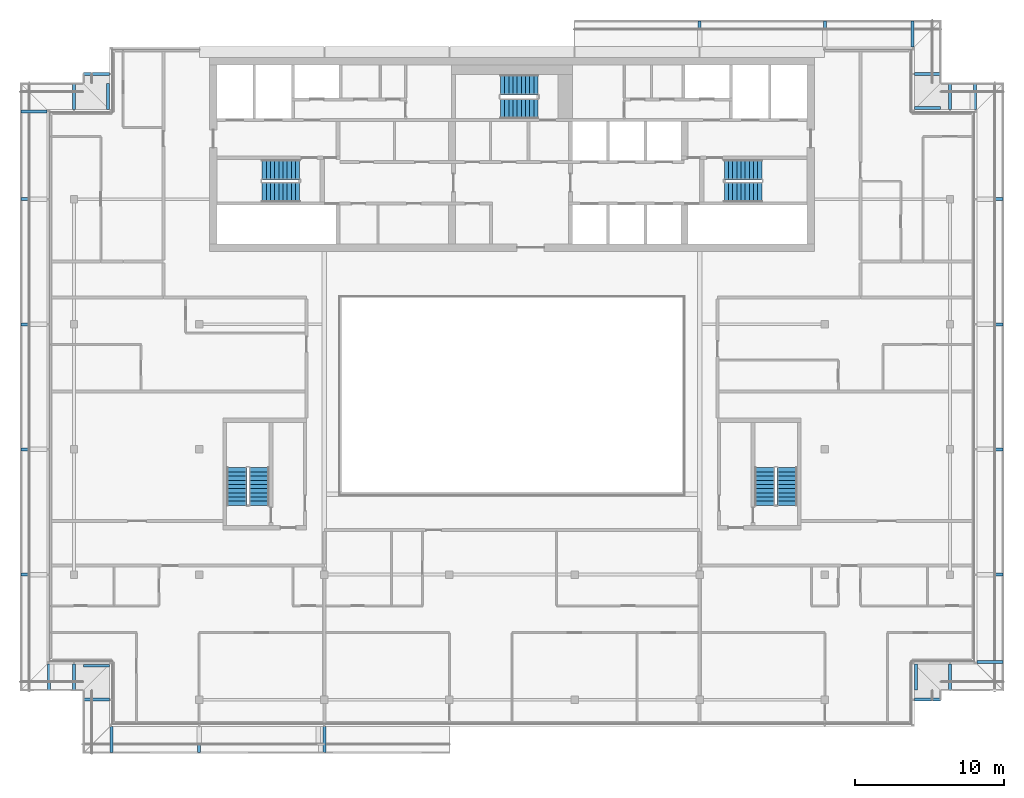
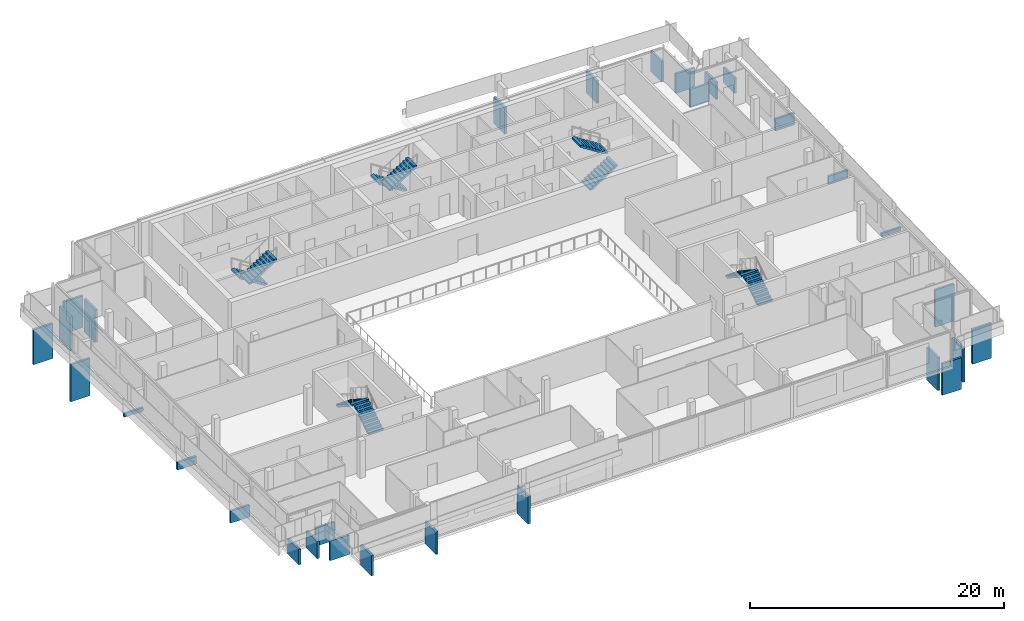
# One storey, part 21 of 27: 30 discrete accessories, 10 stair flights, 5 elements without a shape of their own.
"""IFC4 building model written with IfcOpenShell, lengths in metres."""

from ifc_helpers import new_model, si_unit, direction, frame, origin, origin_2d, place, context, subcontext, project, spatial, polyline, rectangle, outline, extrude, material, type_object, element, aggregate, save


model = new_model("IFC4")

# Units and contexts
model_context = context("Model", 3, precision=1e-05, world=origin(), true_north=direction((0.0, 1.0)))
body_context = subcontext(model_context, "Body", "Model", "MODEL_VIEW")
ifc_project = project(units=[si_unit("LENGTHUNIT", "METRE"), si_unit("AREAUNIT", "SQUARE_METRE"), si_unit("VOLUMEUNIT", "CUBIC_METRE"), si_unit("PLANEANGLEUNIT", "RADIAN"), si_unit("MASSUNIT", "GRAM", prefix="KILO")], contexts=[model_context])

# Site, building, storey
site_placement = place(None, origin())
site = spatial("IfcSite", under=ifc_project, at=site_placement, CompositionType="ELEMENT")
building_placement = place(site_placement, origin())
building = spatial("IfcBuilding", under=site, at=building_placement, Name="Saffron Gate Tower", CompositionType="ELEMENT")
storey_placement = place(building_placement, frame((0.0, 0.0, 274.35009765625)))
storey = spatial("IfcBuildingStorey", under=building, at=storey_placement, Name="L66", CompositionType="ELEMENT", Elevation=274.35009765625)

# Stair, stair flights
ifc_material = material(Name="Concrete C40", Category="concrete")
stair_type = type_object("IfcStairType", Name="ST7 Stair 1350 wide, 20 risers of 180", PredefinedType="HALF_TURN_STAIR", material=ifc_material)
stair_1_placement = place(storey_placement, origin())
stair_1 = element("IfcStair", 1, at=stair_1_placement, inside=storey, type_object=stair_type, Name="L66 Exit stair A", PredefinedType="HALF_TURN_STAIR")
stair_flight_type = type_object("IfcStairFlightType", Name="SF3 Stair flight 1350 wide, riser 180 going 280", PredefinedType="STRAIGHT", material=ifc_material)
stair_flight_1_placement = place(storey_placement, frame((73.35009765625, 67.375, 0.0), z_axis=(0.0, 0.0, 1.0), x_axis=(-1.0, 0.0, 0.0)))
stair_flight_1 = element("IfcStairFlight", 2, at=stair_flight_1_placement, type_object=stair_flight_type, Name="ST-A flight 1", NumberOfRisers=10, NumberOfTreads=9, PredefinedType="STRAIGHT", RiserHeight=0.18, TreadLength=0.28, context=body_context, shape_type="SweptSolid", body=[
    extrude(outline(polyline([(0.0, 0.0), (0.0, 0.179931640625), (0.280029296875, 0.179931640625), (0.280029296875, 0.360107421875), (0.56005859375, 0.360107421875), (0.56005859375, 0.5400390625), (0.840087890625, 0.5400390625), (0.840087890625, 0.719970703125), (1.1201171875, 0.719970703125), (1.1201171875, 0.89990234375), (1.39990234375, 0.89990234375), (1.39990234375, 1.080078125), (1.679931640625, 1.080078125), (1.679931640625, 1.260009765625), (1.9599609375, 1.260009765625), (1.9599609375, 1.43994140625), (2.239990234375, 1.43994140625), (2.239990234375, 1.6201171875), (2.52001953125, 1.6201171875), (2.52001953125, 1.800048828125), (2.52001953125, 1.44189453125), (0.277099609375, 0.0), (0.0, 0.0)])), frame((0.0, 0.675048828125, 0.0), z_axis=(0.0, -1.0, 0.0), x_axis=(1.0, 0.0, 0.0)), (0.0, 0.0, 1.0), 1.35009765625),
])
stair_flight_2_placement = place(storey_placement, frame((70.830078125, 65.875, 1.7998046875), z_axis=(0.0, 0.0, 1.0), x_axis=(1.0, 0.0, 0.0)))
stair_flight_2 = element("IfcStairFlight", 3, at=stair_flight_2_placement, type_object=stair_flight_type, Name="ST-A flight 2", NumberOfRisers=10, NumberOfTreads=9, PredefinedType="STRAIGHT", RiserHeight=0.18, TreadLength=0.28, context=body_context, shape_type="SweptSolid", body=[
    extrude(outline(polyline([(0.0, 0.0), (0.0, 0.179931640625), (0.280029296875, 0.179931640625), (0.280029296875, 0.360107421875), (0.56005859375, 0.360107421875), (0.56005859375, 0.5400390625), (0.840087890625, 0.5400390625), (0.840087890625, 0.719970703125), (1.1201171875, 0.719970703125), (1.1201171875, 0.89990234375), (1.39990234375, 0.89990234375), (1.39990234375, 1.080078125), (1.679931640625, 1.080078125), (1.679931640625, 1.260009765625), (1.9599609375, 1.260009765625), (1.9599609375, 1.43994140625), (2.239990234375, 1.43994140625), (2.239990234375, 1.6201171875), (2.52001953125, 1.6201171875), (2.52001953125, 1.800048828125), (2.52001953125, 1.44189453125), (0.277099609375, 0.0), (0.0, 0.0)])), frame((0.0, 0.675048828125, 0.0), z_axis=(0.0, -1.0, 0.0), x_axis=(1.0, 0.0, 0.0)), (0.0, 0.0, 1.0), 1.35009765625),
])
aggregate(stair_1, [stair_flight_1, stair_flight_2])

stair_2_placement = place(storey_placement, origin())
stair_2 = element("IfcStair", 4, at=stair_2_placement, inside=storey, type_object=stair_type, Name="L66 Exit stair B", PredefinedType="HALF_TURN_STAIR")
stair_flight_3_placement = place(storey_placement, frame((101.85009765625, 65.875, 0.0), z_axis=(0.0, 0.0, 1.0), x_axis=(1.0, 0.0, 0.0)))
stair_flight_3 = element("IfcStairFlight", 5, at=stair_flight_3_placement, type_object=stair_flight_type, Name="ST-B flight 1", NumberOfRisers=10, NumberOfTreads=9, PredefinedType="STRAIGHT", RiserHeight=0.18, TreadLength=0.28, context=body_context, shape_type="SweptSolid", body=[
    extrude(outline(polyline([(0.0, 0.0), (0.0, 0.179931640625), (0.280029296875, 0.179931640625), (0.280029296875, 0.360107421875), (0.56005859375, 0.360107421875), (0.56005859375, 0.5400390625), (0.840087890625, 0.5400390625), (0.840087890625, 0.719970703125), (1.1201171875, 0.719970703125), (1.1201171875, 0.89990234375), (1.39990234375, 0.89990234375), (1.39990234375, 1.080078125), (1.679931640625, 1.080078125), (1.679931640625, 1.260009765625), (1.9599609375, 1.260009765625), (1.9599609375, 1.43994140625), (2.239990234375, 1.43994140625), (2.239990234375, 1.6201171875), (2.52001953125, 1.6201171875), (2.52001953125, 1.800048828125), (2.52001953125, 1.44189453125), (0.277099609375, 0.0), (0.0, 0.0)])), frame((0.0, 0.675048828125, 0.0), z_axis=(0.0, -1.0, 0.0), x_axis=(1.0, 0.0, 0.0)), (0.0, 0.0, 1.0), 1.35009765625),
])
stair_flight_4_placement = place(storey_placement, frame((104.3701171875, 67.375, 1.7998046875), z_axis=(0.0, 0.0, 1.0), x_axis=(-1.0, 0.0, 0.0)))
stair_flight_4 = element("IfcStairFlight", 6, at=stair_flight_4_placement, type_object=stair_flight_type, Name="ST-B flight 2", NumberOfRisers=10, NumberOfTreads=9, PredefinedType="STRAIGHT", RiserHeight=0.18, TreadLength=0.28, context=body_context, shape_type="SweptSolid", body=[
    extrude(outline(polyline([(0.0, 0.0), (0.0, 0.179931640625), (0.280029296875, 0.179931640625), (0.280029296875, 0.360107421875), (0.56005859375, 0.360107421875), (0.56005859375, 0.5400390625), (0.840087890625, 0.5400390625), (0.840087890625, 0.719970703125), (1.1201171875, 0.719970703125), (1.1201171875, 0.89990234375), (1.39990234375, 0.89990234375), (1.39990234375, 1.080078125), (1.679931640625, 1.080078125), (1.679931640625, 1.260009765625), (1.9599609375, 1.260009765625), (1.9599609375, 1.43994140625), (2.239990234375, 1.43994140625), (2.239990234375, 1.6201171875), (2.52001953125, 1.6201171875), (2.52001953125, 1.800048828125), (2.52001953125, 1.44189453125), (0.277099609375, 0.0), (0.0, 0.0)])), frame((0.0, 0.675048828125, 0.0), z_axis=(0.0, -1.0, 0.0), x_axis=(1.0, 0.0, 0.0)), (0.0, 0.0, 1.0), 1.35009765625),
])
aggregate(stair_2, [stair_flight_3, stair_flight_4])

stair_3_placement = place(storey_placement, origin())
stair_3 = element("IfcStair", 7, at=stair_3_placement, inside=storey, type_object=stair_type, Name="L66 Exit stair C", PredefinedType="HALF_TURN_STAIR")
stair_flight_5_placement = place(storey_placement, frame((89.35009765625, 73.074951171875, 0.0), z_axis=(0.0, 0.0, 1.0), x_axis=(-1.0, 0.0, 0.0)))
stair_flight_5 = element("IfcStairFlight", 8, at=stair_flight_5_placement, type_object=stair_flight_type, Name="ST-C flight 1", NumberOfRisers=10, NumberOfTreads=9, PredefinedType="STRAIGHT", RiserHeight=0.18, TreadLength=0.28, context=body_context, shape_type="SweptSolid", body=[
    extrude(outline(polyline([(0.0, 0.0), (0.0, 0.179931640625), (0.280029296875, 0.179931640625), (0.280029296875, 0.360107421875), (0.56005859375, 0.360107421875), (0.56005859375, 0.5400390625), (0.840087890625, 0.5400390625), (0.840087890625, 0.719970703125), (1.1201171875, 0.719970703125), (1.1201171875, 0.89990234375), (1.39990234375, 0.89990234375), (1.39990234375, 1.080078125), (1.679931640625, 1.080078125), (1.679931640625, 1.260009765625), (1.9599609375, 1.260009765625), (1.9599609375, 1.43994140625), (2.239990234375, 1.43994140625), (2.239990234375, 1.6201171875), (2.52001953125, 1.6201171875), (2.52001953125, 1.800048828125), (2.52001953125, 1.44189453125), (0.277099609375, 0.0), (0.0, 0.0)])), frame((0.0, 0.675048828125, 0.0), z_axis=(0.0, -1.0, 0.0), x_axis=(1.0, 0.0, 0.0)), (0.0, 0.0, 1.0), 1.35009765625),
])
stair_flight_6_placement = place(storey_placement, frame((86.830078125, 71.47509765625, 1.7998046875), z_axis=(0.0, 0.0, 1.0), x_axis=(1.0, 0.0, 0.0)))
stair_flight_6 = element("IfcStairFlight", 9, at=stair_flight_6_placement, type_object=stair_flight_type, Name="ST-C flight 2", NumberOfRisers=10, NumberOfTreads=9, PredefinedType="STRAIGHT", RiserHeight=0.18, TreadLength=0.28, context=body_context, shape_type="SweptSolid", body=[
    extrude(outline(polyline([(0.0, 0.0), (0.0, 0.179931640625), (0.280029296875, 0.179931640625), (0.280029296875, 0.360107421875), (0.56005859375, 0.360107421875), (0.56005859375, 0.5400390625), (0.840087890625, 0.5400390625), (0.840087890625, 0.719970703125), (1.1201171875, 0.719970703125), (1.1201171875, 0.89990234375), (1.39990234375, 0.89990234375), (1.39990234375, 1.080078125), (1.679931640625, 1.080078125), (1.679931640625, 1.260009765625), (1.9599609375, 1.260009765625), (1.9599609375, 1.43994140625), (2.239990234375, 1.43994140625), (2.239990234375, 1.6201171875), (2.52001953125, 1.6201171875), (2.52001953125, 1.800048828125), (2.52001953125, 1.44189453125), (0.277099609375, 0.0), (0.0, 0.0)])), frame((0.0, 0.675048828125, 0.0), z_axis=(0.0, -1.0, 0.0), x_axis=(1.0, 0.0, 0.0)), (0.0, 0.0, 1.0), 1.35009765625),
])
aggregate(stair_3, [stair_flight_5, stair_flight_6])

stair_4_placement = place(storey_placement, origin())
stair_4 = element("IfcStair", 10, at=stair_4_placement, inside=storey, type_object=stair_type, Name="L66 Exit stair D", PredefinedType="HALF_TURN_STAIR")
stair_flight_7_placement = place(storey_placement, frame((70.625, 44.85009765625, 0.0), z_axis=(0.0, 0.0, 1.0), x_axis=(0.0, 1.0, 0.0)))
stair_flight_7 = element("IfcStairFlight", 11, at=stair_flight_7_placement, type_object=stair_flight_type, Name="ST-D flight 1", NumberOfRisers=10, NumberOfTreads=9, PredefinedType="STRAIGHT", RiserHeight=0.18, TreadLength=0.28, context=body_context, shape_type="SweptSolid", body=[
    extrude(outline(polyline([(0.0, 0.0), (0.0, 0.179931640625), (0.280029296875, 0.179931640625), (0.280029296875, 0.360107421875), (0.56005859375, 0.360107421875), (0.56005859375, 0.5400390625), (0.840087890625, 0.5400390625), (0.840087890625, 0.719970703125), (1.1201171875, 0.719970703125), (1.1201171875, 0.89990234375), (1.39990234375, 0.89990234375), (1.39990234375, 1.080078125), (1.679931640625, 1.080078125), (1.679931640625, 1.260009765625), (1.9599609375, 1.260009765625), (1.9599609375, 1.43994140625), (2.239990234375, 1.43994140625), (2.239990234375, 1.6201171875), (2.52001953125, 1.6201171875), (2.52001953125, 1.800048828125), (2.52001953125, 1.44189453125), (0.277099609375, 0.0), (0.0, 0.0)])), frame((0.0, 0.675048828125, 0.0), z_axis=(0.0, -1.0, 0.0), x_axis=(1.0, 0.0, 0.0)), (0.0, 0.0, 1.0), 1.35009765625),
])
stair_flight_8_placement = place(storey_placement, frame((69.125, 47.3701171875, 1.7998046875), z_axis=(0.0, 0.0, 1.0), x_axis=(0.0, -1.0, 0.0)))
stair_flight_8 = element("IfcStairFlight", 12, at=stair_flight_8_placement, type_object=stair_flight_type, Name="ST-D flight 2", NumberOfRisers=10, NumberOfTreads=9, PredefinedType="STRAIGHT", RiserHeight=0.18, TreadLength=0.28, context=body_context, shape_type="SweptSolid", body=[
    extrude(outline(polyline([(0.0, 0.0), (0.0, 0.179931640625), (0.280029296875, 0.179931640625), (0.280029296875, 0.360107421875), (0.56005859375, 0.360107421875), (0.56005859375, 0.5400390625), (0.840087890625, 0.5400390625), (0.840087890625, 0.719970703125), (1.1201171875, 0.719970703125), (1.1201171875, 0.89990234375), (1.39990234375, 0.89990234375), (1.39990234375, 1.080078125), (1.679931640625, 1.080078125), (1.679931640625, 1.260009765625), (1.9599609375, 1.260009765625), (1.9599609375, 1.43994140625), (2.239990234375, 1.43994140625), (2.239990234375, 1.6201171875), (2.52001953125, 1.6201171875), (2.52001953125, 1.800048828125), (2.52001953125, 1.44189453125), (0.277099609375, 0.0), (0.0, 0.0)])), frame((0.0, 0.675048828125, 0.0), z_axis=(0.0, -1.0, 0.0), x_axis=(1.0, 0.0, 0.0)), (0.0, 0.0, 1.0), 1.35009765625),
])
aggregate(stair_4, [stair_flight_7, stair_flight_8])

stair_5_placement = place(storey_placement, origin())
stair_5 = element("IfcStair", 13, at=stair_5_placement, inside=storey, type_object=stair_type, Name="L66 Exit stair E", PredefinedType="HALF_TURN_STAIR")
stair_flight_9_placement = place(storey_placement, frame((106.074951171875, 44.85009765625, 0.0), z_axis=(0.0, 0.0, 1.0), x_axis=(0.0, 1.0, 0.0)))
stair_flight_9 = element("IfcStairFlight", 14, at=stair_flight_9_placement, type_object=stair_flight_type, Name="ST-E flight 1", NumberOfRisers=10, NumberOfTreads=9, PredefinedType="STRAIGHT", RiserHeight=0.18, TreadLength=0.28, context=body_context, shape_type="SweptSolid", body=[
    extrude(outline(polyline([(0.0, 0.0), (0.0, 0.179931640625), (0.280029296875, 0.179931640625), (0.280029296875, 0.360107421875), (0.56005859375, 0.360107421875), (0.56005859375, 0.5400390625), (0.840087890625, 0.5400390625), (0.840087890625, 0.719970703125), (1.1201171875, 0.719970703125), (1.1201171875, 0.89990234375), (1.39990234375, 0.89990234375), (1.39990234375, 1.080078125), (1.679931640625, 1.080078125), (1.679931640625, 1.260009765625), (1.9599609375, 1.260009765625), (1.9599609375, 1.43994140625), (2.239990234375, 1.43994140625), (2.239990234375, 1.6201171875), (2.52001953125, 1.6201171875), (2.52001953125, 1.800048828125), (2.52001953125, 1.44189453125), (0.277099609375, 0.0), (0.0, 0.0)])), frame((0.0, 0.675048828125, 0.0), z_axis=(0.0, -1.0, 0.0), x_axis=(1.0, 0.0, 0.0)), (0.0, 0.0, 1.0), 1.35009765625),
])
stair_flight_10_placement = place(storey_placement, frame((104.574951171875, 47.3701171875, 1.7998046875), z_axis=(0.0, 0.0, 1.0), x_axis=(0.0, -1.0, 0.0)))
stair_flight_10 = element("IfcStairFlight", 15, at=stair_flight_10_placement, type_object=stair_flight_type, Name="ST-E flight 2", NumberOfRisers=10, NumberOfTreads=9, PredefinedType="STRAIGHT", RiserHeight=0.18, TreadLength=0.28, context=body_context, shape_type="SweptSolid", body=[
    extrude(outline(polyline([(0.0, 0.0), (0.0, 0.179931640625), (0.280029296875, 0.179931640625), (0.280029296875, 0.360107421875), (0.56005859375, 0.360107421875), (0.56005859375, 0.5400390625), (0.840087890625, 0.5400390625), (0.840087890625, 0.719970703125), (1.1201171875, 0.719970703125), (1.1201171875, 0.89990234375), (1.39990234375, 0.89990234375), (1.39990234375, 1.080078125), (1.679931640625, 1.080078125), (1.679931640625, 1.260009765625), (1.9599609375, 1.260009765625), (1.9599609375, 1.43994140625), (2.239990234375, 1.43994140625), (2.239990234375, 1.6201171875), (2.52001953125, 1.6201171875), (2.52001953125, 1.800048828125), (2.52001953125, 1.44189453125), (0.277099609375, 0.0), (0.0, 0.0)])), frame((0.0, 0.675048828125, 0.0), z_axis=(0.0, -1.0, 0.0), x_axis=(1.0, 0.0, 0.0)), (0.0, 0.0, 1.0), 1.35009765625),
])
aggregate(stair_5, [stair_flight_9, stair_flight_10])

# Discrete accessories
discrete_accessory_1_placement = place(storey_placement, frame((115.47509765625, 31.800048828125, -3.880126953125), z_axis=(0.0, 0.0, 1.0), x_axis=(0.0, 1.0, 0.0)))
element("IfcDiscreteAccessory", 16, at=discrete_accessory_1_placement, inside=storey, Name="LEDGE rib", PredefinedType="BRACKET", context=body_context, shape_type="SweptSolid", body=[
    extrude(rectangle(XDim=0.199951171875, YDim=1.75, at=origin_2d()), origin(), (0.0, 0.0, 1.0), 3.04638671875),
])
discrete_accessory_2_placement = place(storey_placement, frame((114.719970703125, 33.324951171875, -3.880126953125), z_axis=(0.0, 0.0, 1.0), x_axis=(1.0, 0.0, 0.0)))
element("IfcDiscreteAccessory", 17, at=discrete_accessory_2_placement, inside=storey, Name="LEDGE rib", PredefinedType="BRACKET", context=body_context, shape_type="SweptSolid", body=[
    extrude(rectangle(XDim=0.199951171875, YDim=1.75, at=origin_2d()), origin(), (0.0, 0.0, 1.0), 3.15087890625),
])
discrete_accessory_3_placement = place(storey_placement, frame((117.0, 33.324951171875, -3.880126953125), z_axis=(0.0, 0.0, 1.0), x_axis=(1.0, 0.0, 0.0)))
element("IfcDiscreteAccessory", 18, at=discrete_accessory_3_placement, inside=storey, Name="LEDGE rib", PredefinedType="BRACKET", context=body_context, shape_type="SweptSolid", body=[
    extrude(rectangle(XDim=0.199951171875, YDim=1.75, at=origin_2d()), origin(), (0.0, 0.0, 1.0), 3.26708984375),
])
discrete_accessory_4_placement = place(storey_placement, frame((119.675048828125, 34.320068359375, -3.8798828125), z_axis=(0.0, 0.0, 1.0), x_axis=(0.0, 1.0, 0.0)))
element("IfcDiscreteAccessory", 19, at=discrete_accessory_4_placement, inside=storey, Name="LEDGE rib", PredefinedType="BRACKET", context=body_context, shape_type="SweptSolid", body=[
    extrude(rectangle(XDim=0.199951171875, YDim=1.75, at=origin_2d()), origin(), (0.0, 0.0, 1.0), 3.365966796875),
])
discrete_accessory_5_placement = place(storey_placement, frame((119.675048828125, 40.199951171875, -3.8798828125), z_axis=(0.0, 0.0, 1.0), x_axis=(0.0, 1.0, 0.0)))
element("IfcDiscreteAccessory", 20, at=discrete_accessory_5_placement, inside=storey, Name="LEDGE rib", PredefinedType="BRACKET", context=body_context, shape_type="SweptSolid", body=[
    extrude(rectangle(XDim=0.199951171875, YDim=1.75, at=origin_2d()), origin(), (0.0, 0.0, 1.0), 3.573974609375),
])
discrete_accessory_6_placement = place(storey_placement, frame((119.675048828125, 48.60009765625, -0.2802734375), z_axis=(0.0, 0.0, 1.0), x_axis=(0.0, 1.0, 0.0)))
element("IfcDiscreteAccessory", 21, at=discrete_accessory_6_placement, inside=storey, Name="LEDGE rib", PredefinedType="BRACKET", context=body_context, shape_type="SweptSolid", body=[
    extrude(rectangle(XDim=0.199951171875, YDim=1.75, at=origin_2d()), origin(), (0.0, 0.0, 1.0), 0.333740234375),
])
discrete_accessory_7_placement = place(storey_placement, frame((119.675048828125, 57.0, -0.2802734375), z_axis=(0.0, 0.0, 1.0), x_axis=(0.0, 1.0, 0.0)))
element("IfcDiscreteAccessory", 22, at=discrete_accessory_7_placement, inside=storey, Name="LEDGE rib", PredefinedType="BRACKET", context=body_context, shape_type="SweptSolid", body=[
    extrude(rectangle(XDim=0.199951171875, YDim=1.75, at=origin_2d()), origin(), (0.0, 0.0, 1.0), 0.740478515625),
])
discrete_accessory_8_placement = place(storey_placement, frame((119.675048828125, 65.39990234375, -0.280029296875), z_axis=(0.0, 0.0, 1.0), x_axis=(0.0, 1.0, 0.0)))
element("IfcDiscreteAccessory", 23, at=discrete_accessory_8_placement, inside=storey, Name="LEDGE rib", PredefinedType="BRACKET", context=body_context, shape_type="SweptSolid", body=[
    extrude(rectangle(XDim=0.199951171875, YDim=1.75, at=origin_2d()), origin(), (0.0, 0.0, 1.0), 1.14697265625),
])
discrete_accessory_9_placement = place(storey_placement, frame((118.679931640625, 72.27490234375, -0.2802734375), z_axis=(0.0, 0.0, 1.0), x_axis=(-1.0, 0.0, 0.0)))
element("IfcDiscreteAccessory", 24, at=discrete_accessory_9_placement, inside=storey, Name="LEDGE rib", PredefinedType="BRACKET", context=body_context, shape_type="SweptSolid", body=[
    extrude(rectangle(XDim=0.199951171875, YDim=1.75, at=origin_2d()), origin(), (0.0, 0.0, 1.0), 1.484619140625),
])
discrete_accessory_10_placement = place(storey_placement, frame((117.0, 72.27490234375, -0.2802734375), z_axis=(0.0, 0.0, 1.0), x_axis=(-1.0, 0.0, 0.0)))
element("IfcDiscreteAccessory", 25, at=discrete_accessory_10_placement, inside=storey, Name="LEDGE rib", PredefinedType="BRACKET", context=body_context, shape_type="SweptSolid", body=[
    extrude(rectangle(XDim=0.199951171875, YDim=1.75, at=origin_2d()), origin(), (0.0, 0.0, 1.0), 1.654052734375),
])
discrete_accessory_11_placement = place(storey_placement, frame((115.47509765625, 71.52001953125, -0.2802734375), z_axis=(0.0, 0.0, 1.0), x_axis=(0.0, 1.0, 0.0)))
element("IfcDiscreteAccessory", 26, at=discrete_accessory_11_placement, inside=storey, Name="LEDGE rib", PredefinedType="BRACKET", context=body_context, shape_type="SweptSolid", body=[
    extrude(rectangle(XDim=0.199951171875, YDim=1.75, at=origin_2d()), origin(), (0.0, 0.0, 1.0), 1.758544921875),
])
discrete_accessory_12_placement = place(storey_placement, frame((115.47509765625, 73.800048828125, -0.2802734375), z_axis=(0.0, 0.0, 1.0), x_axis=(0.0, 1.0, 0.0)))
element("IfcDiscreteAccessory", 27, at=discrete_accessory_12_placement, inside=storey, Name="LEDGE rib", PredefinedType="BRACKET", context=body_context, shape_type="SweptSolid", body=[
    extrude(rectangle(XDim=0.199951171875, YDim=1.75, at=origin_2d()), origin(), (0.0, 0.0, 1.0), 1.874755859375),
])
discrete_accessory_13_placement = place(storey_placement, frame((114.47998046875, 76.47509765625, -0.280029296875), z_axis=(0.0, 0.0, 1.0), x_axis=(-1.0, 0.0, 0.0)))
element("IfcDiscreteAccessory", 28, at=discrete_accessory_13_placement, inside=storey, Name="LEDGE rib", PredefinedType="BRACKET", context=body_context, shape_type="SweptSolid", body=[
    extrude(rectangle(XDim=0.199951171875, YDim=1.75, at=origin_2d()), origin(), (0.0, 0.0, 1.0), 1.9736328125),
])
discrete_accessory_14_placement = place(storey_placement, frame((108.60009765625, 76.47509765625, -0.2802734375), z_axis=(0.0, 0.0, 1.0), x_axis=(-1.0, 0.0, 0.0)))
element("IfcDiscreteAccessory", 29, at=discrete_accessory_14_placement, inside=storey, Name="LEDGE rib", PredefinedType="BRACKET", context=body_context, shape_type="SweptSolid", body=[
    extrude(rectangle(XDim=0.199951171875, YDim=1.75, at=origin_2d()), origin(), (0.0, 0.0, 1.0), 2.181884765625),
])
discrete_accessory_15_placement = place(storey_placement, frame((100.199951171875, 76.47509765625, -0.280029296875), z_axis=(0.0, 0.0, 1.0), x_axis=(-1.0, 0.0, 0.0)))
element("IfcDiscreteAccessory", 30, at=discrete_accessory_15_placement, inside=storey, Name="LEDGE rib", PredefinedType="BRACKET", context=body_context, shape_type="SweptSolid", body=[
    extrude(rectangle(XDim=0.199951171875, YDim=1.75, at=origin_2d()), origin(), (0.0, 0.0, 1.0), 2.54150390625),
])
discrete_accessory_16_placement = place(storey_placement, frame((59.72509765625, 73.800048828125, -3.880126953125), z_axis=(0.0, 0.0, 1.0), x_axis=(0.0, -1.0, 0.0)))
element("IfcDiscreteAccessory", 31, at=discrete_accessory_16_placement, inside=storey, Name="LEDGE rib", PredefinedType="BRACKET", context=body_context, shape_type="SweptSolid", body=[
    extrude(rectangle(XDim=0.199951171875, YDim=1.75, at=origin_2d()), origin(), (0.0, 0.0, 1.0), 3.04638671875),
])
discrete_accessory_17_placement = place(storey_placement, frame((60.47998046875, 72.27490234375, -3.880126953125), z_axis=(0.0, 0.0, 1.0), x_axis=(-1.0, 0.0, 0.0)))
element("IfcDiscreteAccessory", 32, at=discrete_accessory_17_placement, inside=storey, Name="LEDGE rib", PredefinedType="BRACKET", context=body_context, shape_type="SweptSolid", body=[
    extrude(rectangle(XDim=0.199951171875, YDim=1.75, at=origin_2d()), origin(), (0.0, 0.0, 1.0), 3.15087890625),
])
discrete_accessory_18_placement = place(storey_placement, frame((58.199951171875, 72.27490234375, -3.880126953125), z_axis=(0.0, 0.0, 1.0), x_axis=(-1.0, 0.0, 0.0)))
element("IfcDiscreteAccessory", 33, at=discrete_accessory_18_placement, inside=storey, Name="LEDGE rib", PredefinedType="BRACKET", context=body_context, shape_type="SweptSolid", body=[
    extrude(rectangle(XDim=0.199951171875, YDim=1.75, at=origin_2d()), origin(), (0.0, 0.0, 1.0), 3.26708984375),
])
discrete_accessory_19_placement = place(storey_placement, frame((55.52490234375, 71.280029296875, -3.8798828125), z_axis=(0.0, 0.0, 1.0), x_axis=(0.0, -1.0, 0.0)))
element("IfcDiscreteAccessory", 34, at=discrete_accessory_19_placement, inside=storey, Name="LEDGE rib", PredefinedType="BRACKET", context=body_context, shape_type="SweptSolid", body=[
    extrude(rectangle(XDim=0.199951171875, YDim=1.75, at=origin_2d()), origin(), (0.0, 0.0, 1.0), 3.365966796875),
])
discrete_accessory_20_placement = place(storey_placement, frame((55.52490234375, 65.39990234375, -3.8798828125), z_axis=(0.0, 0.0, 1.0), x_axis=(0.0, -1.0, 0.0)))
element("IfcDiscreteAccessory", 35, at=discrete_accessory_20_placement, inside=storey, Name="LEDGE rib", PredefinedType="BRACKET", context=body_context, shape_type="SweptSolid", body=[
    extrude(rectangle(XDim=0.199951171875, YDim=1.75, at=origin_2d()), origin(), (0.0, 0.0, 1.0), 3.573974609375),
])
discrete_accessory_21_placement = place(storey_placement, frame((55.52490234375, 57.0, -0.2802734375), z_axis=(0.0, 0.0, 1.0), x_axis=(0.0, -1.0, 0.0)))
element("IfcDiscreteAccessory", 36, at=discrete_accessory_21_placement, inside=storey, Name="LEDGE rib", PredefinedType="BRACKET", context=body_context, shape_type="SweptSolid", body=[
    extrude(rectangle(XDim=0.199951171875, YDim=1.75, at=origin_2d()), origin(), (0.0, 0.0, 1.0), 0.333740234375),
])
discrete_accessory_22_placement = place(storey_placement, frame((55.52490234375, 48.60009765625, -0.2802734375), z_axis=(0.0, 0.0, 1.0), x_axis=(0.0, -1.0, 0.0)))
element("IfcDiscreteAccessory", 37, at=discrete_accessory_22_placement, inside=storey, Name="LEDGE rib", PredefinedType="BRACKET", context=body_context, shape_type="SweptSolid", body=[
    extrude(rectangle(XDim=0.199951171875, YDim=1.75, at=origin_2d()), origin(), (0.0, 0.0, 1.0), 0.740478515625),
])
discrete_accessory_23_placement = place(storey_placement, frame((55.52490234375, 40.199951171875, -0.280029296875), z_axis=(0.0, 0.0, 1.0), x_axis=(0.0, -1.0, 0.0)))
element("IfcDiscreteAccessory", 38, at=discrete_accessory_23_placement, inside=storey, Name="LEDGE rib", PredefinedType="BRACKET", context=body_context, shape_type="SweptSolid", body=[
    extrude(rectangle(XDim=0.199951171875, YDim=1.75, at=origin_2d()), origin(), (0.0, 0.0, 1.0), 1.14697265625),
])
discrete_accessory_24_placement = place(storey_placement, frame((56.52001953125, 33.324951171875, -0.2802734375), z_axis=(0.0, 0.0, 1.0), x_axis=(1.0, 0.0, 0.0)))
element("IfcDiscreteAccessory", 39, at=discrete_accessory_24_placement, inside=storey, Name="LEDGE rib", PredefinedType="BRACKET", context=body_context, shape_type="SweptSolid", body=[
    extrude(rectangle(XDim=0.199951171875, YDim=1.75, at=origin_2d()), origin(), (0.0, 0.0, 1.0), 1.484619140625),
])
discrete_accessory_25_placement = place(storey_placement, frame((58.199951171875, 33.324951171875, -0.2802734375), z_axis=(0.0, 0.0, 1.0), x_axis=(1.0, 0.0, 0.0)))
element("IfcDiscreteAccessory", 40, at=discrete_accessory_25_placement, inside=storey, Name="LEDGE rib", PredefinedType="BRACKET", context=body_context, shape_type="SweptSolid", body=[
    extrude(rectangle(XDim=0.199951171875, YDim=1.75, at=origin_2d()), origin(), (0.0, 0.0, 1.0), 1.654052734375),
])
discrete_accessory_26_placement = place(storey_placement, frame((59.72509765625, 34.080078125, -0.2802734375), z_axis=(0.0, 0.0, 1.0), x_axis=(0.0, -1.0, 0.0)))
element("IfcDiscreteAccessory", 41, at=discrete_accessory_26_placement, inside=storey, Name="LEDGE rib", PredefinedType="BRACKET", context=body_context, shape_type="SweptSolid", body=[
    extrude(rectangle(XDim=0.199951171875, YDim=1.75, at=origin_2d()), origin(), (0.0, 0.0, 1.0), 1.758544921875),
])
discrete_accessory_27_placement = place(storey_placement, frame((59.72509765625, 31.800048828125, -0.2802734375), z_axis=(0.0, 0.0, 1.0), x_axis=(0.0, -1.0, 0.0)))
element("IfcDiscreteAccessory", 42, at=discrete_accessory_27_placement, inside=storey, Name="LEDGE rib", PredefinedType="BRACKET", context=body_context, shape_type="SweptSolid", body=[
    extrude(rectangle(XDim=0.199951171875, YDim=1.75, at=origin_2d()), origin(), (0.0, 0.0, 1.0), 1.874755859375),
])
discrete_accessory_28_placement = place(storey_placement, frame((60.719970703125, 29.125, -0.280029296875), z_axis=(0.0, 0.0, 1.0), x_axis=(1.0, 0.0, 0.0)))
element("IfcDiscreteAccessory", 43, at=discrete_accessory_28_placement, inside=storey, Name="LEDGE rib", PredefinedType="BRACKET", context=body_context, shape_type="SweptSolid", body=[
    extrude(rectangle(XDim=0.199951171875, YDim=1.75, at=origin_2d()), origin(), (0.0, 0.0, 1.0), 1.9736328125),
])
discrete_accessory_29_placement = place(storey_placement, frame((66.60009765625, 29.125, -0.2802734375), z_axis=(0.0, 0.0, 1.0), x_axis=(1.0, 0.0, 0.0)))
element("IfcDiscreteAccessory", 44, at=discrete_accessory_29_placement, inside=storey, Name="LEDGE rib", PredefinedType="BRACKET", context=body_context, shape_type="SweptSolid", body=[
    extrude(rectangle(XDim=0.199951171875, YDim=1.75, at=origin_2d()), origin(), (0.0, 0.0, 1.0), 2.181884765625),
])
discrete_accessory_30_placement = place(storey_placement, frame((75.0, 29.125, -0.2802734375), z_axis=(0.0, 0.0, 1.0), x_axis=(1.0, 0.0, 0.0)))
element("IfcDiscreteAccessory", 45, at=discrete_accessory_30_placement, inside=storey, Name="LEDGE rib", PredefinedType="BRACKET", context=body_context, shape_type="SweptSolid", body=[
    extrude(rectangle(XDim=0.199951171875, YDim=1.75, at=origin_2d()), origin(), (0.0, 0.0, 1.0), 2.698486328125),
])

save(model, "model.ifc")
